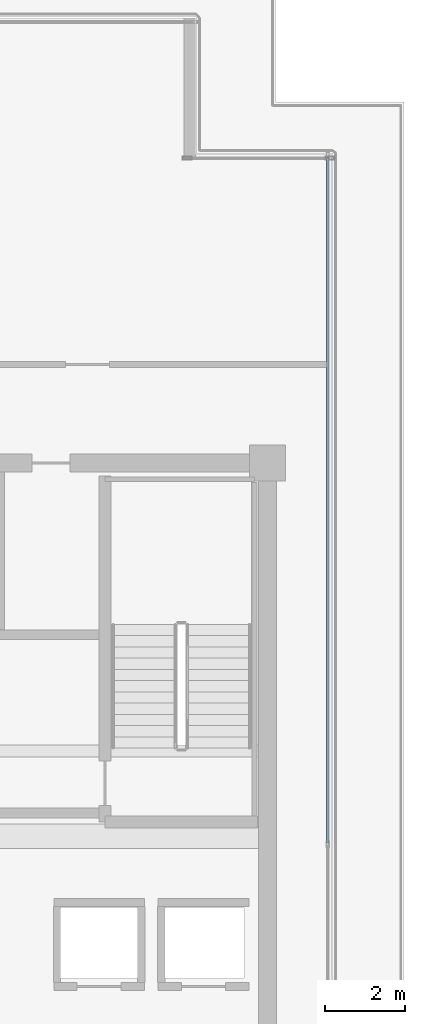
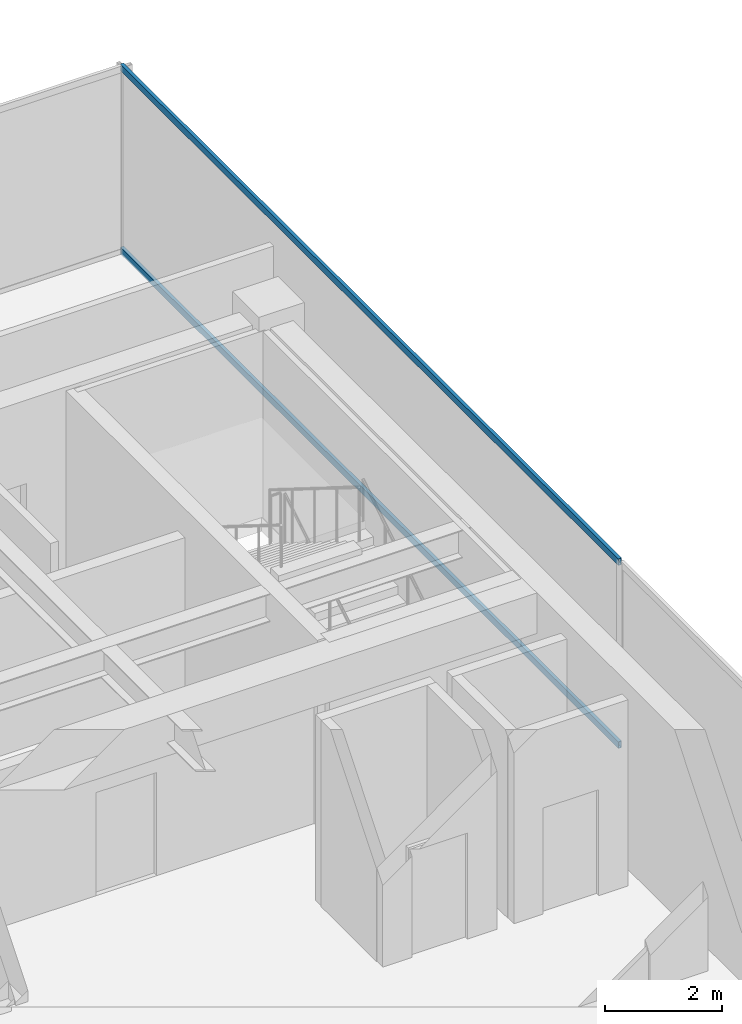
# One storey, part 17 of 34: 2 members, 1 element without a shape of its own.
"""IFC4 building model written with IfcOpenShell, lengths in metres."""

from ifc_helpers import new_model, si_unit, direction, frame, origin, origin_2d, place, context, subcontext, project, spatial, hollow_rectangle, extrude, source, transform, mapped, material, layer, layer_set, material_profile, profile_set, type_object, type_shapes, element, aggregate, save


model = new_model("IFC4")

# Units and contexts
model_context = context("Model", 3, precision=1e-05, world=origin(), true_north=direction((0.0, 1.0)))
body_context = subcontext(model_context, "Body", "Model", "MODEL_VIEW")
ifc_project = project(units=[si_unit("LENGTHUNIT", "METRE"), si_unit("AREAUNIT", "SQUARE_METRE"), si_unit("VOLUMEUNIT", "CUBIC_METRE"), si_unit("PLANEANGLEUNIT", "RADIAN"), si_unit("MASSUNIT", "GRAM", prefix="KILO")], contexts=[model_context])

# Site, building, storey
site_placement = place(None, origin())
site = spatial("IfcSite", under=ifc_project, at=site_placement, CompositionType="ELEMENT")
building_placement = place(site_placement, origin())
building = spatial("IfcBuilding", under=site, at=building_placement, Name="Haelvirn Gate Laboratories", CompositionType="ELEMENT")
storey_placement = place(building_placement, frame((0.0, 0.0, 297.60009765625)))
storey = spatial("IfcBuildingStorey", under=building, at=storey_placement, Name="L71", CompositionType="ELEMENT", Elevation=297.60009765625)

# Curtain wall, members
ifc_material_1 = material(Name="Anodised bronze unitised aluminium & triple low-E glass", Category="aluminium")
ifc_layer = layer(ifc_material_1, 0.176025390625, Name="CW-SYS-4")
ifc_layer_set = layer_set([ifc_layer], Name="Anodised bronze unitised aluminium & triple low-E glass")
curtain_wall_type = type_object("IfcCurtainWallType", Name="CW-SYS-4", PredefinedType="NOTDEFINED", material=ifc_layer_set)
curtain_wall_placement = place(storey_placement, origin())
curtain_wall = element("IfcCurtainWall", 1, at=curtain_wall_placement, inside=storey, type_object=curtain_wall_type, Name="L71 Unitised Curtain Wall CW-L71-P0-E07", PredefinedType="NOTDEFINED")
ifc_material_2 = material(Name="Extruded aluminium 6063-T6 (anodised bronze)", Category="aluminium")
ifc_material_profile = material_profile(ifc_material_2, hollow_rectangle(XDim=0.06494140625, YDim=0.139892578125, WallThickness=0.00390625, at=origin_2d()), Name="CWT-140x65x4")
ifc_profile_set = profile_set([ifc_material_profile], Name="Extruded aluminium 6063-T6 (anodised bronze)")
member_type = type_object("IfcMemberType", Name="CWT-T140", PredefinedType="USERDEFINED", material=ifc_profile_set)
shared_shape = source(origin(), body_context, "Body", "SweptSolid", [
    extrude(hollow_rectangle(XDim=0.06494140625, YDim=0.139892578125, WallThickness=0.00390625, at=origin_2d()), origin(), (0.0, 0.0, 1.0), 17.094970703125),
])
type_shapes(member_type, [shared_shape])
member_1_placement = place(storey_placement, frame((68.89990234375, 24.3349609375, 0.032470703125), z_axis=(0.0, 1.0, 0.0), x_axis=(-1.0, 0.0, 0.0)))
member_1 = element("IfcMember", 2, at=member_1_placement, type_object=member_type, Name="CW4 transom 2.1", ObjectType="TRANSOM", PredefinedType="USERDEFINED", context=body_context, shape_type="MappedRepresentation", body=[
    mapped(shared_shape, transform((0.0, 0.0, 0.0), scale=1.0)),
])
member_2_placement = place(storey_placement, frame((68.89990234375, 24.3349609375, 3.867431640625), z_axis=(0.0, 1.0, 0.0), x_axis=(-1.0, 0.0, 0.0)))
member_2 = element("IfcMember", 3, at=member_2_placement, type_object=member_type, Name="CW4 transom 2.2", ObjectType="TRANSOM", PredefinedType="USERDEFINED", context=body_context, shape_type="MappedRepresentation", body=[
    mapped(shared_shape, transform((0.0, 0.0, 0.0), scale=1.0)),
])
aggregate(curtain_wall, [member_1, member_2])

save(model, "model.ifc")
